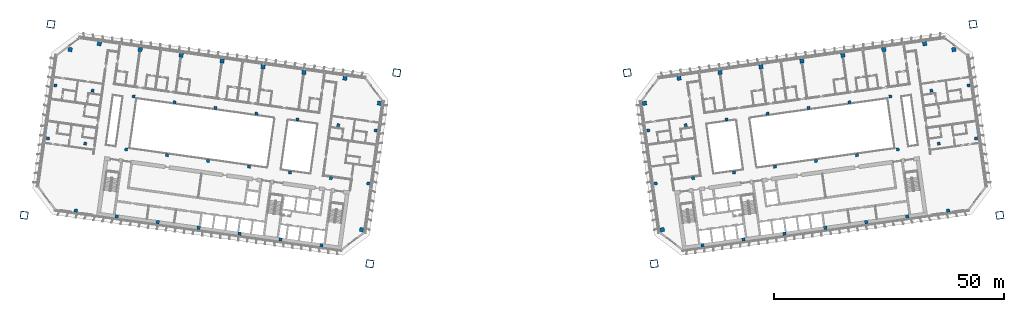
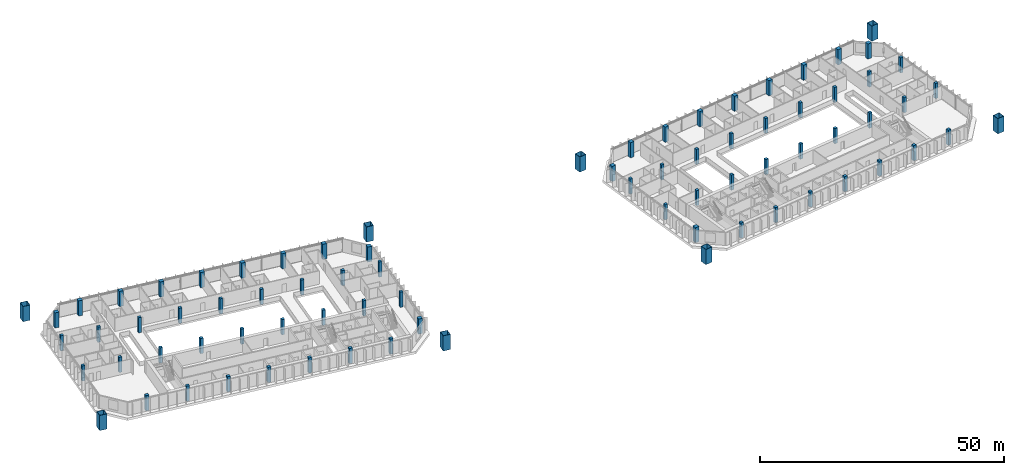
# One storey, part 1 of 26: 78 columns.
"""IFC4 building model written with IfcOpenShell, lengths in metres."""

import ifcopenshell
import ifcopenshell.guid

model = None  # the IFC model being written
_history = None  # IfcOwnerHistory: only IFC2X3 demands one
_inside = {}  # id of a spatial element -> (the spatial element, [elements in it])
_under = {}  # id of a project, library or spatial element -> (it, [spatial elements below it])
_declared = {}  # id of a project -> (the project, [libraries it declares])
_typed = {}  # id of a type object -> (the type object, [elements of that type])
_made_of = {}  # id of a material, layer set ... -> (it, [elements and type objects made of it])


def new_model(schema):
    """Start an empty IFC model of exactly this schema.

    Asked for "IFC4X3", IfcOpenShell would pick the latest addendum, in which some entities
    have other attributes; the version numbers below select the first issue.
    IFC2X3 requires an IfcOwnerHistory on every rooted entity: one is made here for all.
    """
    global model, _history
    if schema == "IFC4X3":
        model = ifcopenshell.file(schema_version=(4, 3, 0, 0))
    else:
        model = ifcopenshell.file(schema=schema)
    _inside.clear()
    _under.clear()
    _declared.clear()
    _typed.clear()
    _made_of.clear()
    _history = None
    if model.schema == "IFC2X3":
        org = make("IfcOrganization", Name="unknown")
        user = make(
            "IfcPersonAndOrganization",
            ThePerson=make("IfcPerson", FamilyName="unknown"),
            TheOrganization=org,
        )
        app = make(
            "IfcApplication",
            ApplicationDeveloper=org,
            Version="unknown",
            ApplicationFullName="unknown",
            ApplicationIdentifier="unknown",
        )
        _history = make(
            "IfcOwnerHistory",
            OwningUser=user,
            OwningApplication=app,
            ChangeAction="ADDED",
            CreationDate=0,
        )
    return model


def make(cls, **values):
    """One entity of the class cls with the attributes given. An attribute that is None is left unset."""
    return model.create_entity(
        cls, **{name: value for name, value in values.items() if value is not None}
    )


def rooted(cls, **values):
    """An entity with a GlobalId (a new one), such as an element, a storey or a relation."""
    return make(cls, GlobalId=ifcopenshell.guid.new(), OwnerHistory=_history, **values)


def si_unit(unit_type, name, prefix=None):
    """IfcSIUnit, for example si_unit("LENGTHUNIT", "METRE", prefix="MILLI")."""
    return make("IfcSIUnit", UnitType=unit_type, Prefix=prefix, Name=name)


def assignment(units):
    """IfcUnitAssignment: the units of a project."""
    return None if units is None else make("IfcUnitAssignment", Units=units)


def point(xyz):
    """IfcCartesianPoint."""
    return None if xyz is None else make("IfcCartesianPoint", Coordinates=xyz)


def direction(xyz):
    """IfcDirection."""
    return None if xyz is None else make("IfcDirection", DirectionRatios=xyz)


def frame(location, z_axis=None, x_axis=None):
    """IfcAxis2Placement3D, a coordinate frame: its origin and axes. An axis left out is left unset."""
    return make(
        "IfcAxis2Placement3D",
        Location=point(location),
        Axis=direction(z_axis),
        RefDirection=direction(x_axis),
    )


def frame_2d(location, x_axis=None):
    """IfcAxis2Placement2D, a coordinate frame in the plane: its origin and x axis."""
    return make(
        "IfcAxis2Placement2D", Location=point(location), RefDirection=direction(x_axis)
    )


def origin():
    """The frame at (0, 0, 0) with its axes left unset."""
    return frame((0.0, 0.0, 0.0))


def origin_2d():
    """The frame at (0, 0) in the plane with its x axis left unset."""
    return frame_2d((0.0, 0.0))


def place(relative_to, where):
    """IfcLocalPlacement: puts the frame where relative to a parent placement (None: the world)."""
    return make(
        "IfcLocalPlacement", PlacementRelTo=relative_to, RelativePlacement=where
    )


def context(
    kind, dimensions, precision=None, world=None, true_north=None, identifier=None
):
    """IfcGeometricRepresentationContext, for example the 3D "Model" context."""
    return make(
        "IfcGeometricRepresentationContext",
        ContextIdentifier=identifier,
        ContextType=kind,
        CoordinateSpaceDimension=dimensions,
        Precision=precision,
        WorldCoordinateSystem=world,
        TrueNorth=true_north,
    )


def subcontext(parent, identifier, kind, view, scale=None):
    """IfcGeometricRepresentationSubContext, for example "Body" below "Model"."""
    return make(
        "IfcGeometricRepresentationSubContext",
        ContextIdentifier=identifier,
        ContextType=kind,
        ParentContext=parent,
        TargetScale=scale,
        TargetView=view,
    )


def project(units=None, contexts=None):
    """IfcProject with its units and contexts."""
    return rooted(
        "IfcProject",
        Name="project",
        RepresentationContexts=contexts,
        UnitsInContext=assignment(units),
    )


def spatial(cls, under=None, at=None, **own):
    """A site, building, storey or space (cls), placed at a placement, below another one or the project."""
    s = rooted(cls, ObjectPlacement=at, **own)
    if under is not None:
        _under.setdefault(under.id(), (under, []))[1].append(s)
    return s


def profile(cls, at=None, kind="AREA", **sizes):
    """A parametric profile (cls). Its sizes go by their IFC names, for example OverallWidth=200.0."""
    return make(cls, ProfileType=kind, Position=at, **sizes)


def rectangle(**sizes):
    """IfcRectangleProfileDef."""
    return profile("IfcRectangleProfileDef", **sizes)


def hollow_rectangle(**sizes):
    """IfcRectangleHollowProfileDef."""
    return profile("IfcRectangleHollowProfileDef", **sizes)


def extrude(swept, where, along, depth):
    """IfcExtrudedAreaSolid: the profile swept, set in the frame where, extruded along a direction by depth."""
    return make(
        "IfcExtrudedAreaSolid",
        SweptArea=swept,
        Position=where,
        ExtrudedDirection=direction(along),
        Depth=depth,
    )


def shape(context_of_items, identifier, shape_type, items):
    """IfcShapeRepresentation: the items that make up one representation, for example the "Body"."""
    return make(
        "IfcShapeRepresentation",
        ContextOfItems=context_of_items,
        RepresentationIdentifier=identifier,
        RepresentationType=shape_type,
        Items=items,
    )


def material(Name=None, Category=None):
    """IfcMaterial."""
    return make("IfcMaterial", Name=Name, Category=Category)


def material_profile(
    of_material, cross_section, Name=None, Category=None, Priority=None
):
    """IfcMaterialProfile: a cross section and its material."""
    return make(
        "IfcMaterialProfile",
        Name=Name,
        Material=of_material,
        Profile=cross_section,
        Priority=Priority,
        Category=Category,
    )


def profile_set(profiles, Name=None, composite=None):
    """IfcMaterialProfileSet."""
    return make(
        "IfcMaterialProfileSet",
        Name=Name,
        MaterialProfiles=profiles,
        CompositeProfile=composite,
    )


def made_of(thing, what):
    """Note that an element or type object is made of a material, layer set ...; save() writes the relation."""
    if what is not None:
        _made_of.setdefault(what.id(), (what, []))[1].append(thing)
    return thing


def type_object(cls, material=None, **own):
    """A type object (cls), such as IfcWallType, which elements share."""
    return made_of(rooted(cls, **own), material)


def element(
    cls,
    number,
    at=None,
    inside=None,
    cuts=None,
    type_object=None,
    material=None,
    context=None,
    identifier="Body",
    shape_type=None,
    held_by="IfcProductDefinitionShape",
    body=None,
    shapes=None,
    **own,
):
    """One element of the class cls, such as IfcWall. Its Tag is "e" and its number.

    at: its placement. inside: the storey or other place that contains it. cuts: it is an
    opening in that element (IfcRelVoidsElement). A single representation is given by context,
    identifier, shape_type and body (its items); several are given by shapes. held_by: the class
    of the entity that holds the representations. save() writes the other relations.
    """
    e = rooted(cls, Tag="e%d" % number, ObjectPlacement=at, **own)
    if body is not None:
        shapes = [shape(context, identifier, shape_type, body)]
    if shapes is not None:
        e.Representation = make(held_by, Representations=shapes)
    if inside is not None:
        _inside.setdefault(inside.id(), (inside, []))[1].append(e)
    if cuts is not None:
        rooted(
            "IfcRelVoidsElement", RelatingBuildingElement=cuts, RelatedOpeningElement=e
        )
    if type_object is not None:
        _typed.setdefault(type_object.id(), (type_object, []))[1].append(e)
    return made_of(e, material)


def aggregate(whole, parts):
    """IfcRelAggregates: a whole, such as a stair, and the parts it consists of."""
    return rooted("IfcRelAggregates", RelatingObject=whole, RelatedObjects=parts)


def save(model, path):
    """Write the relations noted so far, then the file.

    IfcRelAggregates (storeys below a building ...), IfcRelContainedInSpatialStructure (elements
    in a storey), IfcRelDefinesByType, IfcRelAssociatesMaterial and IfcRelDeclares: one each for
    every whole, place, type object, material and project.
    """
    for whole, parts in _under.values():
        aggregate(whole, parts)
    for where, things in _inside.values():
        rooted(
            "IfcRelContainedInSpatialStructure",
            RelatedElements=things,
            RelatingStructure=where,
        )
    for kind, things in _typed.values():
        rooted("IfcRelDefinesByType", RelatedObjects=things, RelatingType=kind)
    for what, things in _made_of.values():
        rooted("IfcRelAssociatesMaterial", RelatedObjects=things, RelatingMaterial=what)
    for by, libraries in _declared.values():
        rooted("IfcRelDeclares", RelatingContext=by, RelatedDefinitions=libraries)
    model.write(path)


model = new_model("IFC4")

# Units and contexts
model_context = context("Model", 3, precision=1e-05, world=origin(), true_north=direction((0.0, 1.0)))
body_context = subcontext(model_context, "Body", "Model", "MODEL_VIEW")
ifc_project = project(units=[si_unit("LENGTHUNIT", "METRE"), si_unit("AREAUNIT", "SQUARE_METRE"), si_unit("VOLUMEUNIT", "CUBIC_METRE"), si_unit("PLANEANGLEUNIT", "RADIAN"), si_unit("MASSUNIT", "GRAM", prefix="KILO")], contexts=[model_context])

# Site, building, storey
site_placement = place(None, origin())
site = spatial("IfcSite", under=ifc_project, at=site_placement, CompositionType="ELEMENT")
building_placement = place(site_placement, origin())
building = spatial("IfcBuilding", under=site, at=building_placement, Name="Mirante Cascada Hotel Towers", CompositionType="ELEMENT")
storey_placement = place(building_placement, frame((0.0, 0.0, 113.9)))
storey = spatial("IfcBuildingStorey", under=building, at=storey_placement, Name="L25", CompositionType="ELEMENT", Elevation=113.9)

# Columns
ifc_material_1 = material(Name="Steel ASTM A572 Gr 50", Category="steel")
ifc_material_profile_1 = material_profile(ifc_material_1, hollow_rectangle(XDim=1.6, YDim=1.6, WallThickness=0.07, at=origin_2d()), Name="Box column 1600x1600x70 ASTM A572 Gr 50")
ifc_profile_set_1 = profile_set([ifc_material_profile_1], Name="Steel ASTM A572 Gr 50")
column_type_1 = type_object("IfcColumnType", Name="Box column 1600x1600x70 ASTM A572 Gr 50", PredefinedType="COLUMN", material=ifc_profile_set_1)
for number, where, z_axis, x_axis, name in (
    (1, (-25.0968, 18.5173, 0.0), (0.0, 0.0, 1.0), (-0.9902681, 0.1391731, 0.0), "Mega column MC1 T1 L25"),
    (2, (-30.9421, -23.074, 0.0), (0.0, 0.0, 1.0), (-0.9902681, 0.1391731, 0.0), "Mega column MC2 T1 L25"),
    (3, (-100.3572, 29.0944, 0.0), (0.0, 0.0, 1.0), (-0.9902681, 0.1391731, 0.0), "Mega column MC3 T1 L25"),
    (4, (-106.2025, -12.4968, 0.0), (0.0, 0.0, 1.0), (-0.9902681, 0.1391731, 0.0), "Mega column MC4 T1 L25"),
    (5, (25.0968, 18.5173, 0.0), (0.0, 0.0, 1.0), (0.9902681, 0.1391731, 0.0), "Mega column MC1 T2 L25"),
    (6, (30.9421, -23.074, 0.0), (0.0, 0.0, 1.0), (0.9902681, 0.1391731, 0.0), "Mega column MC2 T2 L25"),
    (7, (100.3572, 29.0944, 0.0), (0.0, 0.0, 1.0), (0.9902681, 0.1391731, 0.0), "Mega column MC3 T2 L25"),
    (8, (106.2025, -12.4968, 0.0), (0.0, 0.0, 1.0), (0.9902681, 0.1391731, 0.0), "Mega column MC4 T2 L25"),
):
    element("IfcColumn", number, at=place(storey_placement, frame(where, z_axis=z_axis, x_axis=x_axis)), inside=storey, type_object=column_type_1, Name=name, PredefinedType="COLUMN", context=body_context, shape_type="SweptSolid", body=[
        extrude(hollow_rectangle(XDim=1.6, YDim=1.6, WallThickness=0.07, at=origin_2d()), origin(), (0.0, 0.0, 1.0), 3.8),
    ])
ifc_material_2 = material(Name="Concrete C60/75", Category="concrete")
ifc_material_profile_2 = material_profile(ifc_material_2, rectangle(XDim=0.65, YDim=0.65, at=origin_2d()), Name="RC column 650x650 C60/75")
ifc_profile_set_2 = profile_set([ifc_material_profile_2], Name="Concrete C60/75")
column_type_2 = type_object("IfcColumnType", Name="RC column 650x650 C60/75", PredefinedType="COLUMN", material=ifc_profile_set_2)
for number, where, z_axis, x_axis, name in (
    (9, (-29.6893, 5.9592, 0.0), (0.0, 0.0, 1.0), (-0.9902681, 0.1391731, 0.0), "Column T1 L25 2"),
    (10, (-31.3106, -5.5774, 0.0), (0.0, 0.0, 1.0), (-0.9902681, 0.1391731, 0.0), "Column T1 L25 3"),
    (11, (-37.8095, 7.1004, 0.0), (0.0, 0.0, 1.0), (-0.9902681, 0.1391731, 0.0), "Column T1 L25 6"),
    (12, (-39.4308, -4.4362, 0.0), (0.0, 0.0, 1.0), (-0.9902681, 0.1391731, 0.0), "Column T1 L25 7"),
    (13, (-46.7219, 8.353, 0.0), (0.0, 0.0, 1.0), (-0.9902681, 0.1391731, 0.0), "Column T1 L25 10"),
    (14, (-48.3432, -3.1836, 0.0), (0.0, 0.0, 1.0), (-0.9902681, 0.1391731, 0.0), "Column T1 L25 11"),
    (15, (-55.6343, 9.6055, 0.0), (0.0, 0.0, 1.0), (-0.9902681, 0.1391731, 0.0), "Column T1 L25 14"),
    (16, (-57.2557, -1.9311, 0.0), (0.0, 0.0, 1.0), (-0.9902681, 0.1391731, 0.0), "Column T1 L25 15"),
    (17, (-64.5467, 10.8581, 0.0), (0.0, 0.0, 1.0), (-0.9902681, 0.1391731, 0.0), "Column T1 L25 18"),
    (18, (-66.1681, -0.6785, 0.0), (0.0, 0.0, 1.0), (-0.9902681, 0.1391731, 0.0), "Column T1 L25 19"),
    (19, (-73.4591, 12.1107, 0.0), (0.0, 0.0, 1.0), (-0.9902681, 0.1391731, 0.0), "Column T1 L25 22"),
    (20, (-75.0805, 0.574, 0.0), (0.0, 0.0, 1.0), (-0.9902681, 0.1391731, 0.0), "Column T1 L25 23"),
    (21, (-82.3715, 13.3632, 0.0), (0.0, 0.0, 1.0), (-0.9902681, 0.1391731, 0.0), "Column T1 L25 26"),
    (22, (-83.9929, 1.8266, 0.0), (0.0, 0.0, 1.0), (-0.9902681, 0.1391731, 0.0), "Column T1 L25 27"),
    (23, (-91.2839, 14.6158, 0.0), (0.0, 0.0, 1.0), (-0.9902681, 0.1391731, 0.0), "Column T1 L25 30"),
    (24, (-92.9053, 3.0792, 0.0), (0.0, 0.0, 1.0), (-0.9902681, 0.1391731, 0.0), "Column T1 L25 31"),
    (25, (-99.4041, 15.757, 0.0), (0.0, 0.0, 1.0), (-0.9902681, 0.1391731, 0.0), "Column T1 L25 34"),
    (26, (-101.0255, 4.2204, 0.0), (0.0, 0.0, 1.0), (-0.9902681, 0.1391731, 0.0), "Column T1 L25 35"),
    (27, (29.6893, 5.9592, 0.0), (0.0, 0.0, 1.0), (0.9902681, 0.1391731, 0.0), "Column T2 L25 2"),
    (28, (31.3106, -5.5774, 0.0), (0.0, 0.0, 1.0), (0.9902681, 0.1391731, 0.0), "Column T2 L25 3"),
    (29, (37.8095, 7.1004, 0.0), (0.0, 0.0, 1.0), (0.9902681, 0.1391731, 0.0), "Column T2 L25 6"),
    (30, (39.4308, -4.4362, 0.0), (0.0, 0.0, 1.0), (0.9902681, 0.1391731, 0.0), "Column T2 L25 7"),
    (31, (46.7219, 8.353, 0.0), (0.0, 0.0, 1.0), (0.9902681, 0.1391731, 0.0), "Column T2 L25 10"),
    (32, (48.3432, -3.1836, 0.0), (0.0, 0.0, 1.0), (0.9902681, 0.1391731, 0.0), "Column T2 L25 11"),
    (33, (55.6343, 9.6055, 0.0), (0.0, 0.0, 1.0), (0.9902681, 0.1391731, 0.0), "Column T2 L25 14"),
    (34, (57.2557, -1.9311, 0.0), (0.0, 0.0, 1.0), (0.9902681, 0.1391731, 0.0), "Column T2 L25 15"),
    (35, (64.5467, 10.8581, 0.0), (0.0, 0.0, 1.0), (0.9902681, 0.1391731, 0.0), "Column T2 L25 18"),
    (36, (66.1681, -0.6785, 0.0), (0.0, 0.0, 1.0), (0.9902681, 0.1391731, 0.0), "Column T2 L25 19"),
    (37, (73.4591, 12.1107, 0.0), (0.0, 0.0, 1.0), (0.9902681, 0.1391731, 0.0), "Column T2 L25 22"),
    (38, (75.0805, 0.574, 0.0), (0.0, 0.0, 1.0), (0.9902681, 0.1391731, 0.0), "Column T2 L25 23"),
    (39, (82.3715, 13.3632, 0.0), (0.0, 0.0, 1.0), (0.9902681, 0.1391731, 0.0), "Column T2 L25 26"),
    (40, (83.9929, 1.8266, 0.0), (0.0, 0.0, 1.0), (0.9902681, 0.1391731, 0.0), "Column T2 L25 27"),
    (41, (91.2839, 14.6158, 0.0), (0.0, 0.0, 1.0), (0.9902681, 0.1391731, 0.0), "Column T2 L25 30"),
    (42, (92.9053, 3.0792, 0.0), (0.0, 0.0, 1.0), (0.9902681, 0.1391731, 0.0), "Column T2 L25 31"),
    (43, (99.4041, 15.757, 0.0), (0.0, 0.0, 1.0), (0.9902681, 0.1391731, 0.0), "Column T2 L25 34"),
    (44, (101.0255, 4.2204, 0.0), (0.0, 0.0, 1.0), (0.9902681, 0.1391731, 0.0), "Column T2 L25 35"),
):
    element("IfcColumn", number, at=place(storey_placement, frame(where, z_axis=z_axis, x_axis=x_axis)), inside=storey, type_object=column_type_2, Name=name, PredefinedType="COLUMN", context=body_context, shape_type="SweptSolid", body=[
        extrude(rectangle(XDim=0.65, YDim=0.65, at=origin_2d()), origin(), (0.0, 0.0, 1.0), 3.8),
    ])
ifc_material_3 = material(Name="Concrete C60/75", Category="concrete")
ifc_material_profile_3 = material_profile(ifc_material_3, rectangle(XDim=0.7, YDim=0.7, at=origin_2d()), Name="RC column 700x700 C60/75")
ifc_profile_set_3 = profile_set([ifc_material_profile_3], Name="Concrete C60/75")
column_type_3 = type_object("IfcColumnType", Name="RC column 700x700 C60/75", PredefinedType="COLUMN", material=ifc_profile_set_3)
for number, where, z_axis, x_axis, name in (
    (45, (-41.4802, -19.0179, 0.0), (0.0, 0.0, 1.0), (-0.9902681, 0.1391731, 0.0), "Column T1 L25 8"),
    (46, (-50.3926, -17.7653, 0.0), (0.0, 0.0, 1.0), (-0.9902681, 0.1391731, 0.0), "Column T1 L25 12"),
    (47, (-59.305, -16.5128, 0.0), (0.0, 0.0, 1.0), (-0.9902681, 0.1391731, 0.0), "Column T1 L25 16"),
    (48, (-68.2174, -15.2602, 0.0), (0.0, 0.0, 1.0), (-0.9902681, 0.1391731, 0.0), "Column T1 L25 20"),
    (49, (-77.1298, -14.0077, 0.0), (0.0, 0.0, 1.0), (-0.9902681, 0.1391731, 0.0), "Column T1 L25 24"),
    (50, (-86.0422, -12.7551, 0.0), (0.0, 0.0, 1.0), (-0.9902681, 0.1391731, 0.0), "Column T1 L25 28"),
    (51, (-94.9546, -11.5025, 0.0), (0.0, 0.0, 1.0), (-0.9902681, 0.1391731, 0.0), "Column T1 L25 32"),
    (52, (41.4802, -19.0179, 0.0), (0.0, 0.0, 1.0), (0.9902681, 0.1391731, 0.0), "Column T2 L25 8"),
    (53, (50.3926, -17.7653, 0.0), (0.0, 0.0, 1.0), (0.9902681, 0.1391731, 0.0), "Column T2 L25 12"),
    (54, (59.305, -16.5128, 0.0), (0.0, 0.0, 1.0), (0.9902681, 0.1391731, 0.0), "Column T2 L25 16"),
    (55, (68.2174, -15.2602, 0.0), (0.0, 0.0, 1.0), (0.9902681, 0.1391731, 0.0), "Column T2 L25 20"),
    (56, (77.1298, -14.0077, 0.0), (0.0, 0.0, 1.0), (0.9902681, 0.1391731, 0.0), "Column T2 L25 24"),
    (57, (86.0422, -12.7551, 0.0), (0.0, 0.0, 1.0), (0.9902681, 0.1391731, 0.0), "Column T2 L25 28"),
    (58, (94.9546, -11.5025, 0.0), (0.0, 0.0, 1.0), (0.9902681, 0.1391731, 0.0), "Column T2 L25 32"),
):
    element("IfcColumn", number, at=place(storey_placement, frame(where, z_axis=z_axis, x_axis=x_axis)), inside=storey, type_object=column_type_3, Name=name, PredefinedType="COLUMN", context=body_context, shape_type="SweptSolid", body=[
        extrude(rectangle(XDim=0.7, YDim=0.7, at=origin_2d()), origin(), (0.0, 0.0, 1.0), 3.8),
    ])
ifc_material_4 = material(Name="Concrete C60/75", Category="concrete")
ifc_material_profile_4 = material_profile(ifc_material_4, rectangle(XDim=0.9, YDim=0.9, at=origin_2d()), Name="RC column 900x900 C60/75")
ifc_profile_set_4 = profile_set([ifc_material_profile_4], Name="Concrete C60/75")
column_type_4 = type_object("IfcColumnType", Name="RC column 900x900 C60/75", PredefinedType="COLUMN", material=ifc_profile_set_4)
for number, where, z_axis, x_axis, name in (
    (59, (-28.8577, 11.8761, 0.0), (0.0, 0.0, 1.0), (-0.9902681, 0.1391731, 0.0), "Column T1 L25 1"),
    (60, (-32.7267, -15.6534, 0.0), (0.0, 0.0, 1.0), (-0.9902681, 0.1391731, 0.0), "Column T1 L25 4"),
    (61, (-36.3725, 17.325, 0.0), (0.0, 0.0, 1.0), (-0.9902681, 0.1391731, 0.0), "Column T1 L25 5"),
    (62, (-45.2849, 18.5775, 0.0), (0.0, 0.0, 1.0), (-0.9902681, 0.1391731, 0.0), "Column T1 L25 9"),
    (63, (-54.1973, 19.8301, 0.0), (0.0, 0.0, 1.0), (-0.9902681, 0.1391731, 0.0), "Column T1 L25 13"),
    (64, (-63.1097, 21.0826, 0.0), (0.0, 0.0, 1.0), (-0.9902681, 0.1391731, 0.0), "Column T1 L25 17"),
    (65, (-72.0222, 22.3352, 0.0), (0.0, 0.0, 1.0), (-0.9902681, 0.1391731, 0.0), "Column T1 L25 21"),
    (66, (-80.9346, 23.5877, 0.0), (0.0, 0.0, 1.0), (-0.9902681, 0.1391731, 0.0), "Column T1 L25 25"),
    (67, (-89.847, 24.8403, 0.0), (0.0, 0.0, 1.0), (-0.9902681, 0.1391731, 0.0), "Column T1 L25 29"),
    (68, (-96.1868, 23.5602, 0.0), (0.0, 0.0, 1.0), (-0.9902681, 0.1391731, 0.0), "Column T1 L25 33"),
    (69, (28.8577, 11.8761, 0.0), (0.0, 0.0, 1.0), (0.9902681, 0.1391731, 0.0), "Column T2 L25 1"),
    (70, (32.7267, -15.6534, 0.0), (0.0, 0.0, 1.0), (0.9902681, 0.1391731, 0.0), "Column T2 L25 4"),
    (71, (36.3725, 17.325, 0.0), (0.0, 0.0, 1.0), (0.9902681, 0.1391731, 0.0), "Column T2 L25 5"),
    (72, (45.2849, 18.5775, 0.0), (0.0, 0.0, 1.0), (0.9902681, 0.1391731, 0.0), "Column T2 L25 9"),
    (73, (54.1973, 19.8301, 0.0), (0.0, 0.0, 1.0), (0.9902681, 0.1391731, 0.0), "Column T2 L25 13"),
    (74, (63.1097, 21.0826, 0.0), (0.0, 0.0, 1.0), (0.9902681, 0.1391731, 0.0), "Column T2 L25 17"),
    (75, (72.0222, 22.3352, 0.0), (0.0, 0.0, 1.0), (0.9902681, 0.1391731, 0.0), "Column T2 L25 21"),
    (76, (80.9346, 23.5877, 0.0), (0.0, 0.0, 1.0), (0.9902681, 0.1391731, 0.0), "Column T2 L25 25"),
    (77, (89.847, 24.8403, 0.0), (0.0, 0.0, 1.0), (0.9902681, 0.1391731, 0.0), "Column T2 L25 29"),
    (78, (96.1868, 23.5602, 0.0), (0.0, 0.0, 1.0), (0.9902681, 0.1391731, 0.0), "Column T2 L25 33"),
):
    element("IfcColumn", number, at=place(storey_placement, frame(where, z_axis=z_axis, x_axis=x_axis)), inside=storey, type_object=column_type_4, Name=name, PredefinedType="COLUMN", context=body_context, shape_type="SweptSolid", body=[
        extrude(rectangle(XDim=0.9, YDim=0.9, at=origin_2d()), origin(), (0.0, 0.0, 1.0), 3.8),
    ])

save(model, "model.ifc")
